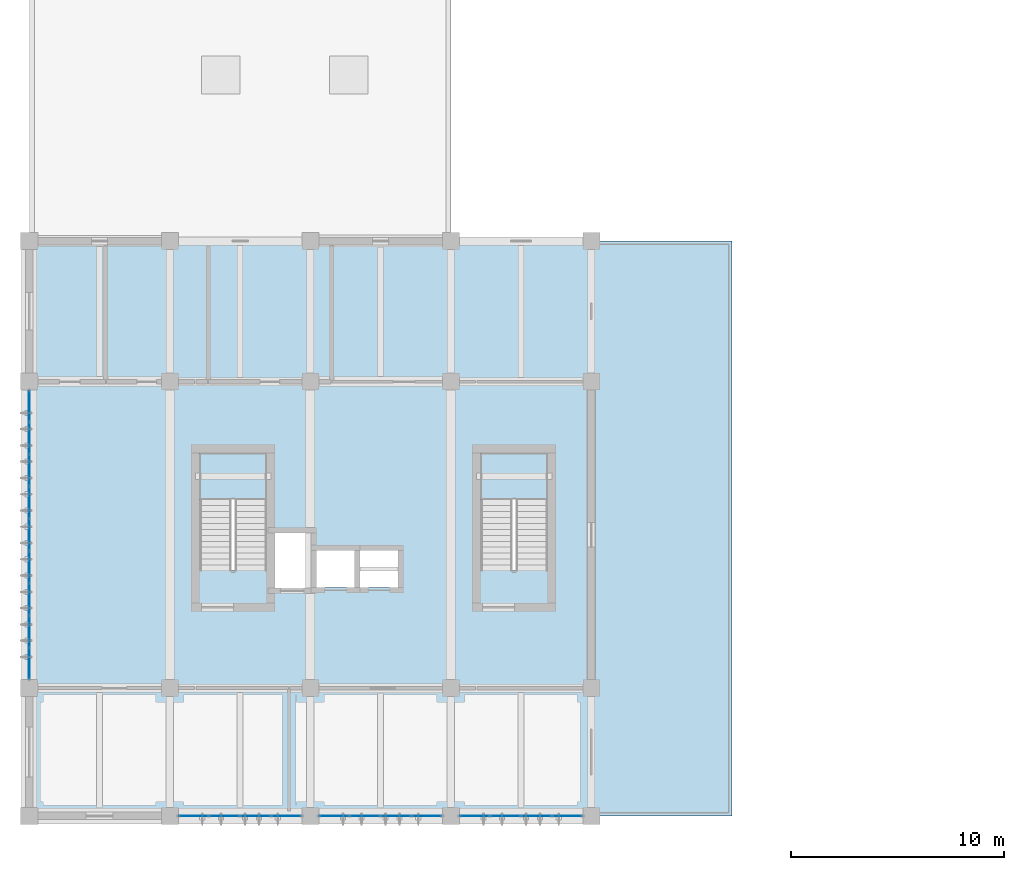
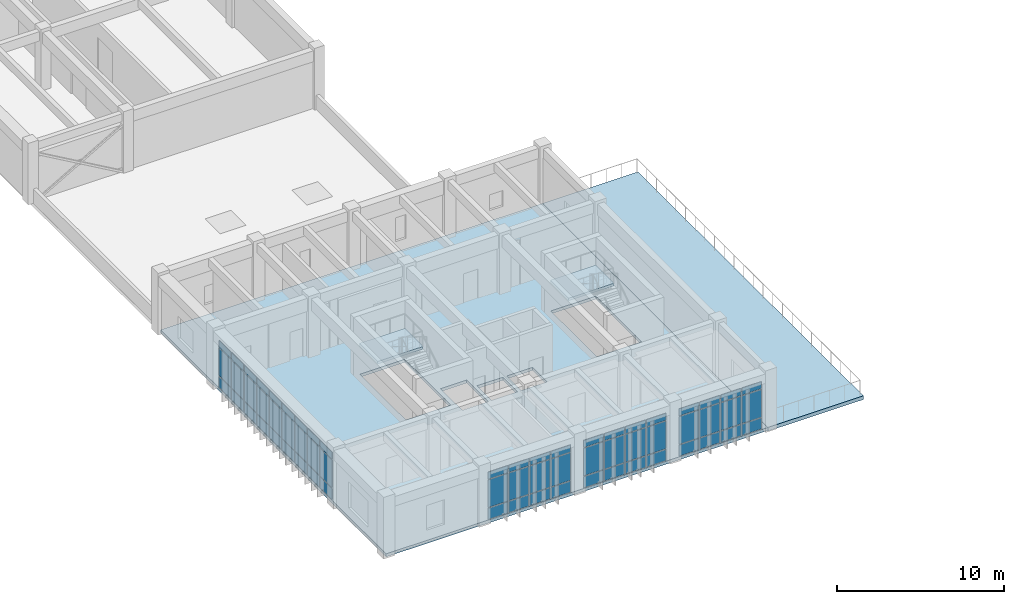
# One storey, part 7 of 18: 63 plates, 4 slabs, 6 elements without a shape of their own.
"""IFC4 building model written with IfcOpenShell, lengths in metres."""

from ifc_helpers import new_model, si_unit, direction, frame, origin, origin_2d, place, context, subcontext, project, spatial, polyline, rectangle, outline, extrude, material, layer, layer_set, type_object, element, aggregate, save


model = new_model("IFC4")

# Units and contexts
model_context = context("Model", 3, precision=1e-05, world=origin(), true_north=direction((0.0, 1.0)))
body_context = subcontext(model_context, "Body", "Model", "MODEL_VIEW")
ifc_project = project(units=[si_unit("LENGTHUNIT", "METRE"), si_unit("AREAUNIT", "SQUARE_METRE"), si_unit("VOLUMEUNIT", "CUBIC_METRE"), si_unit("PLANEANGLEUNIT", "RADIAN"), si_unit("MASSUNIT", "GRAM", prefix="KILO")], contexts=[model_context])

# Site, building, storey
site_placement = place(None, origin())
site = spatial("IfcSite", under=ifc_project, at=site_placement, CompositionType="ELEMENT")
building_placement = place(site_placement, origin())
building = spatial("IfcBuilding", under=site, at=building_placement, Name="Miralva Faculty of Natural Sciences", CompositionType="ELEMENT")
storey_placement = place(building_placement, frame((0.0, 0.0, 28.5)))
storey = spatial("IfcBuildingStorey", under=building, at=storey_placement, Name="L06", CompositionType="ELEMENT", Elevation=28.5)

# Curtain wall, plates
ifc_material_1 = material(Name="Laminated solar-control glass", Category="glass")
ifc_layer_1 = layer(ifc_material_1, 0.179931640625, Name="CW-TWR-L03")
ifc_layer_set_1 = layer_set([ifc_layer_1], Name="Laminated solar-control glass")
curtain_wall_type = type_object("IfcCurtainWallType", Name="CW-TWR-L03", PredefinedType="USERDEFINED", material=ifc_layer_set_1)
curtain_wall_1_placement = place(storey_placement, origin())
curtain_wall_1 = element("IfcCurtainWall", 1, at=curtain_wall_1_placement, inside=storey, type_object=curtain_wall_type, Name="Curtain wall CW-14 L06-239", ObjectType="UNITISED CURTAIN WALL", PredefinedType="USERDEFINED")
ifc_layer_2 = layer(ifc_material_1, 0.028076171875, Name="PNL-P01")
ifc_layer_set_2 = layer_set([ifc_layer_2], Name="Laminated solar-control glass")
plate_type = type_object("IfcPlateType", Name="PNL-P01", PredefinedType="CURTAIN_PANEL", material=ifc_layer_set_2)
plate_1_placement = place(storey_placement, frame((10.72998046875, 3.0, 0.06005859375), z_axis=(0.0, 0.0, 1.0), x_axis=(1.0, 0.0, 0.0)))
plate_1 = element("IfcPlate", 2, at=plate_1_placement, type_object=plate_type, Name="CW-14 panel 1.1", PredefinedType="CURTAIN_PANEL", context=body_context, shape_type="SweptSolid", body=[
    extrude(rectangle(XDim=1.360107421875, YDim=0.028076171875, at=origin_2d()), origin(), (0.0, 0.0, 1.0), 0.81005859375),
])
plate_2_placement = place(storey_placement, frame((10.72998046875, 3.0, 0.93017578125), z_axis=(0.0, 0.0, 1.0), x_axis=(1.0, 0.0, 0.0)))
plate_2 = element("IfcPlate", 3, at=plate_2_placement, type_object=plate_type, Name="CW-14 panel 1.2", PredefinedType="CURTAIN_PANEL", context=body_context, shape_type="SweptSolid", body=[
    extrude(rectangle(XDim=1.360107421875, YDim=0.028076171875, at=origin_2d()), origin(), (0.0, 0.0, 1.0), 2.014892578125),
])
plate_3_placement = place(storey_placement, frame((10.72998046875, 3.0, 3.0048828125), z_axis=(0.0, 0.0, 1.0), x_axis=(1.0, 0.0, 0.0)))
plate_3 = element("IfcPlate", 4, at=plate_3_placement, type_object=plate_type, Name="CW-14 panel 1.3", PredefinedType="CURTAIN_PANEL", context=body_context, shape_type="SweptSolid", body=[
    extrude(rectangle(XDim=1.360107421875, YDim=0.028076171875, at=origin_2d()), origin(), (0.0, 0.0, 1.0), 0.510009765625),
])
plate_4_placement = place(storey_placement, frame((12.171142578125, 3.0, 0.06005859375), z_axis=(0.0, 0.0, 1.0), x_axis=(1.0, 0.0, 0.0)))
plate_4 = element("IfcPlate", 5, at=plate_4_placement, type_object=plate_type, Name="CW-14 panel 2.1", PredefinedType="CURTAIN_PANEL", context=body_context, shape_type="SweptSolid", body=[
    extrude(rectangle(XDim=1.392578125, YDim=0.028076171875, at=origin_2d()), origin(), (0.0, 0.0, 1.0), 0.81005859375),
])
plate_5_placement = place(storey_placement, frame((12.171142578125, 3.0, 0.93017578125), z_axis=(0.0, 0.0, 1.0), x_axis=(1.0, 0.0, 0.0)))
plate_5 = element("IfcPlate", 6, at=plate_5_placement, type_object=plate_type, Name="CW-14 panel 2.2", PredefinedType="CURTAIN_PANEL", context=body_context, shape_type="SweptSolid", body=[
    extrude(rectangle(XDim=1.392578125, YDim=0.028076171875, at=origin_2d()), origin(), (0.0, 0.0, 1.0), 2.014892578125),
])
plate_6_placement = place(storey_placement, frame((12.171142578125, 3.0, 3.0048828125), z_axis=(0.0, 0.0, 1.0), x_axis=(1.0, 0.0, 0.0)))
plate_6 = element("IfcPlate", 7, at=plate_6_placement, type_object=plate_type, Name="CW-14 panel 2.3", PredefinedType="CURTAIN_PANEL", context=body_context, shape_type="SweptSolid", body=[
    extrude(rectangle(XDim=1.392578125, YDim=0.028076171875, at=origin_2d()), origin(), (0.0, 0.0, 1.0), 0.510009765625),
])
plate_7_placement = place(storey_placement, frame((13.628662109375, 3.0, 0.06005859375), z_axis=(0.0, 0.0, 1.0), x_axis=(1.0, 0.0, 0.0)))
plate_7 = element("IfcPlate", 8, at=plate_7_placement, type_object=plate_type, Name="CW-14 panel 3.1", PredefinedType="CURTAIN_PANEL", context=body_context, shape_type="SweptSolid", body=[
    extrude(rectangle(XDim=1.392578125, YDim=0.028076171875, at=origin_2d()), origin(), (0.0, 0.0, 1.0), 0.81005859375),
])
plate_8_placement = place(storey_placement, frame((13.628662109375, 3.0, 0.93017578125), z_axis=(0.0, 0.0, 1.0), x_axis=(1.0, 0.0, 0.0)))
plate_8 = element("IfcPlate", 9, at=plate_8_placement, type_object=plate_type, Name="CW-14 panel 3.2", PredefinedType="CURTAIN_PANEL", context=body_context, shape_type="SweptSolid", body=[
    extrude(rectangle(XDim=1.392578125, YDim=0.028076171875, at=origin_2d()), origin(), (0.0, 0.0, 1.0), 2.014892578125),
])
plate_9_placement = place(storey_placement, frame((13.628662109375, 3.0, 3.0048828125), z_axis=(0.0, 0.0, 1.0), x_axis=(1.0, 0.0, 0.0)))
plate_9 = element("IfcPlate", 10, at=plate_9_placement, type_object=plate_type, Name="CW-14 panel 3.3", PredefinedType="CURTAIN_PANEL", context=body_context, shape_type="SweptSolid", body=[
    extrude(rectangle(XDim=1.392578125, YDim=0.028076171875, at=origin_2d()), origin(), (0.0, 0.0, 1.0), 0.510009765625),
])
plate_10_placement = place(storey_placement, frame((15.070068359375, 3.0, 0.06005859375), z_axis=(0.0, 0.0, 1.0), x_axis=(1.0, 0.0, 0.0)))
plate_10 = element("IfcPlate", 11, at=plate_10_placement, type_object=plate_type, Name="CW-14 panel 4.1", PredefinedType="CURTAIN_PANEL", context=body_context, shape_type="SweptSolid", body=[
    extrude(rectangle(XDim=1.360107421875, YDim=0.028076171875, at=origin_2d()), origin(), (0.0, 0.0, 1.0), 0.81005859375),
])
plate_11_placement = place(storey_placement, frame((15.070068359375, 3.0, 0.93017578125), z_axis=(0.0, 0.0, 1.0), x_axis=(1.0, 0.0, 0.0)))
plate_11 = element("IfcPlate", 12, at=plate_11_placement, type_object=plate_type, Name="CW-14 panel 4.2", PredefinedType="CURTAIN_PANEL", context=body_context, shape_type="SweptSolid", body=[
    extrude(rectangle(XDim=1.360107421875, YDim=0.028076171875, at=origin_2d()), origin(), (0.0, 0.0, 1.0), 2.014892578125),
])
plate_12_placement = place(storey_placement, frame((15.070068359375, 3.0, 3.0048828125), z_axis=(0.0, 0.0, 1.0), x_axis=(1.0, 0.0, 0.0)))
plate_12 = element("IfcPlate", 13, at=plate_12_placement, type_object=plate_type, Name="CW-14 panel 4.3", PredefinedType="CURTAIN_PANEL", context=body_context, shape_type="SweptSolid", body=[
    extrude(rectangle(XDim=1.360107421875, YDim=0.028076171875, at=origin_2d()), origin(), (0.0, 0.0, 1.0), 0.510009765625),
])
aggregate(curtain_wall_1, [plate_1, plate_2, plate_3, plate_4, plate_5, plate_6, plate_7, plate_8, plate_9, plate_10, plate_11, plate_12])

curtain_wall_2_placement = place(storey_placement, origin())
curtain_wall_2 = element("IfcCurtainWall", 14, at=curtain_wall_2_placement, inside=storey, type_object=curtain_wall_type, Name="Curtain wall CW-14 L06-240", ObjectType="UNITISED CURTAIN WALL", PredefinedType="USERDEFINED")
plate_13_placement = place(storey_placement, frame((17.330078125, 3.0, 0.06005859375), z_axis=(0.0, 0.0, 1.0), x_axis=(1.0, 0.0, 0.0)))
plate_13 = element("IfcPlate", 15, at=plate_13_placement, type_object=plate_type, Name="CW-14 panel 1.1", PredefinedType="CURTAIN_PANEL", context=body_context, shape_type="SweptSolid", body=[
    extrude(rectangle(XDim=1.360107421875, YDim=0.028076171875, at=origin_2d()), origin(), (0.0, 0.0, 1.0), 0.81005859375),
])
plate_14_placement = place(storey_placement, frame((17.330078125, 3.0, 0.93017578125), z_axis=(0.0, 0.0, 1.0), x_axis=(1.0, 0.0, 0.0)))
plate_14 = element("IfcPlate", 16, at=plate_14_placement, type_object=plate_type, Name="CW-14 panel 1.2", PredefinedType="CURTAIN_PANEL", context=body_context, shape_type="SweptSolid", body=[
    extrude(rectangle(XDim=1.360107421875, YDim=0.028076171875, at=origin_2d()), origin(), (0.0, 0.0, 1.0), 2.014892578125),
])
plate_15_placement = place(storey_placement, frame((17.330078125, 3.0, 3.0048828125), z_axis=(0.0, 0.0, 1.0), x_axis=(1.0, 0.0, 0.0)))
plate_15 = element("IfcPlate", 17, at=plate_15_placement, type_object=plate_type, Name="CW-14 panel 1.3", PredefinedType="CURTAIN_PANEL", context=body_context, shape_type="SweptSolid", body=[
    extrude(rectangle(XDim=1.360107421875, YDim=0.028076171875, at=origin_2d()), origin(), (0.0, 0.0, 1.0), 0.510009765625),
])
plate_16_placement = place(storey_placement, frame((18.771240234375, 3.0, 0.06005859375), z_axis=(0.0, 0.0, 1.0), x_axis=(1.0, 0.0, 0.0)))
plate_16 = element("IfcPlate", 18, at=plate_16_placement, type_object=plate_type, Name="CW-14 panel 2.1", PredefinedType="CURTAIN_PANEL", context=body_context, shape_type="SweptSolid", body=[
    extrude(rectangle(XDim=1.392578125, YDim=0.028076171875, at=origin_2d()), origin(), (0.0, 0.0, 1.0), 0.81005859375),
])
plate_17_placement = place(storey_placement, frame((18.771240234375, 3.0, 0.93017578125), z_axis=(0.0, 0.0, 1.0), x_axis=(1.0, 0.0, 0.0)))
plate_17 = element("IfcPlate", 19, at=plate_17_placement, type_object=plate_type, Name="CW-14 panel 2.2", PredefinedType="CURTAIN_PANEL", context=body_context, shape_type="SweptSolid", body=[
    extrude(rectangle(XDim=1.392578125, YDim=0.028076171875, at=origin_2d()), origin(), (0.0, 0.0, 1.0), 2.014892578125),
])
plate_18_placement = place(storey_placement, frame((18.771240234375, 3.0, 3.0048828125), z_axis=(0.0, 0.0, 1.0), x_axis=(1.0, 0.0, 0.0)))
plate_18 = element("IfcPlate", 20, at=plate_18_placement, type_object=plate_type, Name="CW-14 panel 2.3", PredefinedType="CURTAIN_PANEL", context=body_context, shape_type="SweptSolid", body=[
    extrude(rectangle(XDim=1.392578125, YDim=0.028076171875, at=origin_2d()), origin(), (0.0, 0.0, 1.0), 0.510009765625),
])
plate_19_placement = place(storey_placement, frame((20.228759765625, 3.0, 0.06005859375), z_axis=(0.0, 0.0, 1.0), x_axis=(1.0, 0.0, 0.0)))
plate_19 = element("IfcPlate", 21, at=plate_19_placement, type_object=plate_type, Name="CW-14 panel 3.1", PredefinedType="CURTAIN_PANEL", context=body_context, shape_type="SweptSolid", body=[
    extrude(rectangle(XDim=1.392578125, YDim=0.028076171875, at=origin_2d()), origin(), (0.0, 0.0, 1.0), 0.81005859375),
])
plate_20_placement = place(storey_placement, frame((20.228759765625, 3.0, 0.93017578125), z_axis=(0.0, 0.0, 1.0), x_axis=(1.0, 0.0, 0.0)))
plate_20 = element("IfcPlate", 22, at=plate_20_placement, type_object=plate_type, Name="CW-14 panel 3.2", PredefinedType="CURTAIN_PANEL", context=body_context, shape_type="SweptSolid", body=[
    extrude(rectangle(XDim=1.392578125, YDim=0.028076171875, at=origin_2d()), origin(), (0.0, 0.0, 1.0), 2.014892578125),
])
plate_21_placement = place(storey_placement, frame((20.228759765625, 3.0, 3.0048828125), z_axis=(0.0, 0.0, 1.0), x_axis=(1.0, 0.0, 0.0)))
plate_21 = element("IfcPlate", 23, at=plate_21_placement, type_object=plate_type, Name="CW-14 panel 3.3", PredefinedType="CURTAIN_PANEL", context=body_context, shape_type="SweptSolid", body=[
    extrude(rectangle(XDim=1.392578125, YDim=0.028076171875, at=origin_2d()), origin(), (0.0, 0.0, 1.0), 0.510009765625),
])
plate_22_placement = place(storey_placement, frame((21.669921875, 3.0, 0.06005859375), z_axis=(0.0, 0.0, 1.0), x_axis=(1.0, 0.0, 0.0)))
plate_22 = element("IfcPlate", 24, at=plate_22_placement, type_object=plate_type, Name="CW-14 panel 4.1", PredefinedType="CURTAIN_PANEL", context=body_context, shape_type="SweptSolid", body=[
    extrude(rectangle(XDim=1.360107421875, YDim=0.028076171875, at=origin_2d()), origin(), (0.0, 0.0, 1.0), 0.81005859375),
])
plate_23_placement = place(storey_placement, frame((21.669921875, 3.0, 0.93017578125), z_axis=(0.0, 0.0, 1.0), x_axis=(1.0, 0.0, 0.0)))
plate_23 = element("IfcPlate", 25, at=plate_23_placement, type_object=plate_type, Name="CW-14 panel 4.2", PredefinedType="CURTAIN_PANEL", context=body_context, shape_type="SweptSolid", body=[
    extrude(rectangle(XDim=1.360107421875, YDim=0.028076171875, at=origin_2d()), origin(), (0.0, 0.0, 1.0), 2.014892578125),
])
plate_24_placement = place(storey_placement, frame((21.669921875, 3.0, 3.0048828125), z_axis=(0.0, 0.0, 1.0), x_axis=(1.0, 0.0, 0.0)))
plate_24 = element("IfcPlate", 26, at=plate_24_placement, type_object=plate_type, Name="CW-14 panel 4.3", PredefinedType="CURTAIN_PANEL", context=body_context, shape_type="SweptSolid", body=[
    extrude(rectangle(XDim=1.360107421875, YDim=0.028076171875, at=origin_2d()), origin(), (0.0, 0.0, 1.0), 0.510009765625),
])
aggregate(curtain_wall_2, [plate_13, plate_14, plate_15, plate_16, plate_17, plate_18, plate_19, plate_20, plate_21, plate_22, plate_23, plate_24])

curtain_wall_3_placement = place(storey_placement, origin())
curtain_wall_3 = element("IfcCurtainWall", 27, at=curtain_wall_3_placement, inside=storey, type_object=curtain_wall_type, Name="Curtain wall CW-14 L06-241", ObjectType="UNITISED CURTAIN WALL", PredefinedType="USERDEFINED")
plate_25_placement = place(storey_placement, frame((23.929931640625, 3.0, 0.06005859375), z_axis=(0.0, 0.0, 1.0), x_axis=(1.0, 0.0, 0.0)))
plate_25 = element("IfcPlate", 28, at=plate_25_placement, type_object=plate_type, Name="CW-14 panel 1.1", PredefinedType="CURTAIN_PANEL", context=body_context, shape_type="SweptSolid", body=[
    extrude(rectangle(XDim=1.360107421875, YDim=0.028076171875, at=origin_2d()), origin(), (0.0, 0.0, 1.0), 0.81005859375),
])
plate_26_placement = place(storey_placement, frame((23.929931640625, 3.0, 0.93017578125), z_axis=(0.0, 0.0, 1.0), x_axis=(1.0, 0.0, 0.0)))
plate_26 = element("IfcPlate", 29, at=plate_26_placement, type_object=plate_type, Name="CW-14 panel 1.2", PredefinedType="CURTAIN_PANEL", context=body_context, shape_type="SweptSolid", body=[
    extrude(rectangle(XDim=1.360107421875, YDim=0.028076171875, at=origin_2d()), origin(), (0.0, 0.0, 1.0), 2.014892578125),
])
plate_27_placement = place(storey_placement, frame((23.929931640625, 3.0, 3.0048828125), z_axis=(0.0, 0.0, 1.0), x_axis=(1.0, 0.0, 0.0)))
plate_27 = element("IfcPlate", 30, at=plate_27_placement, type_object=plate_type, Name="CW-14 panel 1.3", PredefinedType="CURTAIN_PANEL", context=body_context, shape_type="SweptSolid", body=[
    extrude(rectangle(XDim=1.360107421875, YDim=0.028076171875, at=origin_2d()), origin(), (0.0, 0.0, 1.0), 0.510009765625),
])
plate_28_placement = place(storey_placement, frame((25.371337890625, 3.0, 0.06005859375), z_axis=(0.0, 0.0, 1.0), x_axis=(1.0, 0.0, 0.0)))
plate_28 = element("IfcPlate", 31, at=plate_28_placement, type_object=plate_type, Name="CW-14 panel 2.1", PredefinedType="CURTAIN_PANEL", context=body_context, shape_type="SweptSolid", body=[
    extrude(rectangle(XDim=1.392578125, YDim=0.028076171875, at=origin_2d()), origin(), (0.0, 0.0, 1.0), 0.81005859375),
])
plate_29_placement = place(storey_placement, frame((25.371337890625, 3.0, 0.93017578125), z_axis=(0.0, 0.0, 1.0), x_axis=(1.0, 0.0, 0.0)))
plate_29 = element("IfcPlate", 32, at=plate_29_placement, type_object=plate_type, Name="CW-14 panel 2.2", PredefinedType="CURTAIN_PANEL", context=body_context, shape_type="SweptSolid", body=[
    extrude(rectangle(XDim=1.392578125, YDim=0.028076171875, at=origin_2d()), origin(), (0.0, 0.0, 1.0), 2.014892578125),
])
plate_30_placement = place(storey_placement, frame((25.371337890625, 3.0, 3.0048828125), z_axis=(0.0, 0.0, 1.0), x_axis=(1.0, 0.0, 0.0)))
plate_30 = element("IfcPlate", 33, at=plate_30_placement, type_object=plate_type, Name="CW-14 panel 2.3", PredefinedType="CURTAIN_PANEL", context=body_context, shape_type="SweptSolid", body=[
    extrude(rectangle(XDim=1.392578125, YDim=0.028076171875, at=origin_2d()), origin(), (0.0, 0.0, 1.0), 0.510009765625),
])
plate_31_placement = place(storey_placement, frame((26.828857421875, 3.0, 0.06005859375), z_axis=(0.0, 0.0, 1.0), x_axis=(1.0, 0.0, 0.0)))
plate_31 = element("IfcPlate", 34, at=plate_31_placement, type_object=plate_type, Name="CW-14 panel 3.1", PredefinedType="CURTAIN_PANEL", context=body_context, shape_type="SweptSolid", body=[
    extrude(rectangle(XDim=1.392578125, YDim=0.028076171875, at=origin_2d()), origin(), (0.0, 0.0, 1.0), 0.81005859375),
])
plate_32_placement = place(storey_placement, frame((26.828857421875, 3.0, 0.93017578125), z_axis=(0.0, 0.0, 1.0), x_axis=(1.0, 0.0, 0.0)))
plate_32 = element("IfcPlate", 35, at=plate_32_placement, type_object=plate_type, Name="CW-14 panel 3.2", PredefinedType="CURTAIN_PANEL", context=body_context, shape_type="SweptSolid", body=[
    extrude(rectangle(XDim=1.392578125, YDim=0.028076171875, at=origin_2d()), origin(), (0.0, 0.0, 1.0), 2.014892578125),
])
plate_33_placement = place(storey_placement, frame((26.828857421875, 3.0, 3.0048828125), z_axis=(0.0, 0.0, 1.0), x_axis=(1.0, 0.0, 0.0)))
plate_33 = element("IfcPlate", 36, at=plate_33_placement, type_object=plate_type, Name="CW-14 panel 3.3", PredefinedType="CURTAIN_PANEL", context=body_context, shape_type="SweptSolid", body=[
    extrude(rectangle(XDim=1.392578125, YDim=0.028076171875, at=origin_2d()), origin(), (0.0, 0.0, 1.0), 0.510009765625),
])
plate_34_placement = place(storey_placement, frame((28.27001953125, 3.0, 0.06005859375), z_axis=(0.0, 0.0, 1.0), x_axis=(1.0, 0.0, 0.0)))
plate_34 = element("IfcPlate", 37, at=plate_34_placement, type_object=plate_type, Name="CW-14 panel 4.1", PredefinedType="CURTAIN_PANEL", context=body_context, shape_type="SweptSolid", body=[
    extrude(rectangle(XDim=1.360107421875, YDim=0.028076171875, at=origin_2d()), origin(), (0.0, 0.0, 1.0), 0.81005859375),
])
plate_35_placement = place(storey_placement, frame((28.27001953125, 3.0, 0.93017578125), z_axis=(0.0, 0.0, 1.0), x_axis=(1.0, 0.0, 0.0)))
plate_35 = element("IfcPlate", 38, at=plate_35_placement, type_object=plate_type, Name="CW-14 panel 4.2", PredefinedType="CURTAIN_PANEL", context=body_context, shape_type="SweptSolid", body=[
    extrude(rectangle(XDim=1.360107421875, YDim=0.028076171875, at=origin_2d()), origin(), (0.0, 0.0, 1.0), 2.014892578125),
])
plate_36_placement = place(storey_placement, frame((28.27001953125, 3.0, 3.0048828125), z_axis=(0.0, 0.0, 1.0), x_axis=(1.0, 0.0, 0.0)))
plate_36 = element("IfcPlate", 39, at=plate_36_placement, type_object=plate_type, Name="CW-14 panel 4.3", PredefinedType="CURTAIN_PANEL", context=body_context, shape_type="SweptSolid", body=[
    extrude(rectangle(XDim=1.360107421875, YDim=0.028076171875, at=origin_2d()), origin(), (0.0, 0.0, 1.0), 0.510009765625),
])
aggregate(curtain_wall_3, [plate_25, plate_26, plate_27, plate_28, plate_29, plate_30, plate_31, plate_32, plate_33, plate_34, plate_35, plate_36])

curtain_wall_4_placement = place(storey_placement, origin())
curtain_wall_4 = element("IfcCurtainWall", 40, at=curtain_wall_4_placement, inside=storey, type_object=curtain_wall_type, Name="Curtain wall CW-14 L06-242", ObjectType="UNITISED CURTAIN WALL", PredefinedType="USERDEFINED")
plate_37_placement = place(storey_placement, frame((3.0, 10.158447265625, 0.06005859375), z_axis=(0.0, 0.0, 1.0), x_axis=(0.0, 1.0, 0.0)))
plate_37 = element("IfcPlate", 41, at=plate_37_placement, type_object=plate_type, Name="CW-14 panel 1.1", PredefinedType="CURTAIN_PANEL", context=body_context, shape_type="SweptSolid", body=[
    extrude(rectangle(XDim=1.4169921875, YDim=0.028076171875, at=origin_2d()), origin(), (0.0, 0.0, 1.0), 0.81005859375),
])
plate_38_placement = place(storey_placement, frame((3.0, 10.158447265625, 0.93017578125), z_axis=(0.0, 0.0, 1.0), x_axis=(0.0, 1.0, 0.0)))
plate_38 = element("IfcPlate", 42, at=plate_38_placement, type_object=plate_type, Name="CW-14 panel 1.2", PredefinedType="CURTAIN_PANEL", context=body_context, shape_type="SweptSolid", body=[
    extrude(rectangle(XDim=1.4169921875, YDim=0.028076171875, at=origin_2d()), origin(), (0.0, 0.0, 1.0), 2.014892578125),
])
plate_39_placement = place(storey_placement, frame((3.0, 10.158447265625, 3.0048828125), z_axis=(0.0, 0.0, 1.0), x_axis=(0.0, 1.0, 0.0)))
plate_39 = element("IfcPlate", 43, at=plate_39_placement, type_object=plate_type, Name="CW-14 panel 1.3", PredefinedType="CURTAIN_PANEL", context=body_context, shape_type="SweptSolid", body=[
    extrude(rectangle(XDim=1.4169921875, YDim=0.028076171875, at=origin_2d()), origin(), (0.0, 0.0, 1.0), 0.510009765625),
])
plate_40_placement = place(storey_placement, frame((3.0, 11.65673828125, 0.06005859375), z_axis=(0.0, 0.0, 1.0), x_axis=(0.0, 1.0, 0.0)))
plate_40 = element("IfcPlate", 44, at=plate_40_placement, type_object=plate_type, Name="CW-14 panel 2.1", PredefinedType="CURTAIN_PANEL", context=body_context, shape_type="SweptSolid", body=[
    extrude(rectangle(XDim=1.449462890625, YDim=0.028076171875, at=origin_2d()), origin(), (0.0, 0.0, 1.0), 0.81005859375),
])
plate_41_placement = place(storey_placement, frame((3.0, 11.65673828125, 0.93017578125), z_axis=(0.0, 0.0, 1.0), x_axis=(0.0, 1.0, 0.0)))
plate_41 = element("IfcPlate", 45, at=plate_41_placement, type_object=plate_type, Name="CW-14 panel 2.2", PredefinedType="CURTAIN_PANEL", context=body_context, shape_type="SweptSolid", body=[
    extrude(rectangle(XDim=1.449462890625, YDim=0.028076171875, at=origin_2d()), origin(), (0.0, 0.0, 1.0), 2.014892578125),
])
plate_42_placement = place(storey_placement, frame((3.0, 11.65673828125, 3.0048828125), z_axis=(0.0, 0.0, 1.0), x_axis=(0.0, 1.0, 0.0)))
plate_42 = element("IfcPlate", 46, at=plate_42_placement, type_object=plate_type, Name="CW-14 panel 2.3", PredefinedType="CURTAIN_PANEL", context=body_context, shape_type="SweptSolid", body=[
    extrude(rectangle(XDim=1.449462890625, YDim=0.028076171875, at=origin_2d()), origin(), (0.0, 0.0, 1.0), 0.510009765625),
])
plate_43_placement = place(storey_placement, frame((3.0, 13.171142578125, 0.06005859375), z_axis=(0.0, 0.0, 1.0), x_axis=(0.0, 1.0, 0.0)))
plate_43 = element("IfcPlate", 47, at=plate_43_placement, type_object=plate_type, Name="CW-14 panel 3.1", PredefinedType="CURTAIN_PANEL", context=body_context, shape_type="SweptSolid", body=[
    extrude(rectangle(XDim=1.449462890625, YDim=0.028076171875, at=origin_2d()), origin(), (0.0, 0.0, 1.0), 0.81005859375),
])
plate_44_placement = place(storey_placement, frame((3.0, 13.171142578125, 0.93017578125), z_axis=(0.0, 0.0, 1.0), x_axis=(0.0, 1.0, 0.0)))
plate_44 = element("IfcPlate", 48, at=plate_44_placement, type_object=plate_type, Name="CW-14 panel 3.2", PredefinedType="CURTAIN_PANEL", context=body_context, shape_type="SweptSolid", body=[
    extrude(rectangle(XDim=1.449462890625, YDim=0.028076171875, at=origin_2d()), origin(), (0.0, 0.0, 1.0), 2.014892578125),
])
plate_45_placement = place(storey_placement, frame((3.0, 13.171142578125, 3.0048828125), z_axis=(0.0, 0.0, 1.0), x_axis=(0.0, 1.0, 0.0)))
plate_45 = element("IfcPlate", 49, at=plate_45_placement, type_object=plate_type, Name="CW-14 panel 3.3", PredefinedType="CURTAIN_PANEL", context=body_context, shape_type="SweptSolid", body=[
    extrude(rectangle(XDim=1.449462890625, YDim=0.028076171875, at=origin_2d()), origin(), (0.0, 0.0, 1.0), 0.510009765625),
])
plate_46_placement = place(storey_placement, frame((3.0, 14.685546875, 0.06005859375), z_axis=(0.0, 0.0, 1.0), x_axis=(0.0, 1.0, 0.0)))
plate_46 = element("IfcPlate", 50, at=plate_46_placement, type_object=plate_type, Name="CW-14 panel 4.1", PredefinedType="CURTAIN_PANEL", context=body_context, shape_type="SweptSolid", body=[
    extrude(rectangle(XDim=1.449462890625, YDim=0.028076171875, at=origin_2d()), origin(), (0.0, 0.0, 1.0), 0.81005859375),
])
plate_47_placement = place(storey_placement, frame((3.0, 14.685546875, 0.93017578125), z_axis=(0.0, 0.0, 1.0), x_axis=(0.0, 1.0, 0.0)))
plate_47 = element("IfcPlate", 51, at=plate_47_placement, type_object=plate_type, Name="CW-14 panel 4.2", PredefinedType="CURTAIN_PANEL", context=body_context, shape_type="SweptSolid", body=[
    extrude(rectangle(XDim=1.449462890625, YDim=0.028076171875, at=origin_2d()), origin(), (0.0, 0.0, 1.0), 2.014892578125),
])
plate_48_placement = place(storey_placement, frame((3.0, 14.685546875, 3.0048828125), z_axis=(0.0, 0.0, 1.0), x_axis=(0.0, 1.0, 0.0)))
plate_48 = element("IfcPlate", 52, at=plate_48_placement, type_object=plate_type, Name="CW-14 panel 4.3", PredefinedType="CURTAIN_PANEL", context=body_context, shape_type="SweptSolid", body=[
    extrude(rectangle(XDim=1.449462890625, YDim=0.028076171875, at=origin_2d()), origin(), (0.0, 0.0, 1.0), 0.510009765625),
])
plate_49_placement = place(storey_placement, frame((3.0, 16.199951171875, 0.06005859375), z_axis=(0.0, 0.0, 1.0), x_axis=(0.0, 1.0, 0.0)))
plate_49 = element("IfcPlate", 53, at=plate_49_placement, type_object=plate_type, Name="CW-14 panel 5.1", PredefinedType="CURTAIN_PANEL", context=body_context, shape_type="SweptSolid", body=[
    extrude(rectangle(XDim=1.449462890625, YDim=0.028076171875, at=origin_2d()), origin(), (0.0, 0.0, 1.0), 0.81005859375),
])
plate_50_placement = place(storey_placement, frame((3.0, 16.199951171875, 0.93017578125), z_axis=(0.0, 0.0, 1.0), x_axis=(0.0, 1.0, 0.0)))
plate_50 = element("IfcPlate", 54, at=plate_50_placement, type_object=plate_type, Name="CW-14 panel 5.2", PredefinedType="CURTAIN_PANEL", context=body_context, shape_type="SweptSolid", body=[
    extrude(rectangle(XDim=1.449462890625, YDim=0.028076171875, at=origin_2d()), origin(), (0.0, 0.0, 1.0), 2.014892578125),
])
plate_51_placement = place(storey_placement, frame((3.0, 16.199951171875, 3.0048828125), z_axis=(0.0, 0.0, 1.0), x_axis=(0.0, 1.0, 0.0)))
plate_51 = element("IfcPlate", 55, at=plate_51_placement, type_object=plate_type, Name="CW-14 panel 5.3", PredefinedType="CURTAIN_PANEL", context=body_context, shape_type="SweptSolid", body=[
    extrude(rectangle(XDim=1.449462890625, YDim=0.028076171875, at=origin_2d()), origin(), (0.0, 0.0, 1.0), 0.510009765625),
])
plate_52_placement = place(storey_placement, frame((3.0, 17.71435546875, 0.06005859375), z_axis=(0.0, 0.0, 1.0), x_axis=(0.0, 1.0, 0.0)))
plate_52 = element("IfcPlate", 56, at=plate_52_placement, type_object=plate_type, Name="CW-14 panel 6.1", PredefinedType="CURTAIN_PANEL", context=body_context, shape_type="SweptSolid", body=[
    extrude(rectangle(XDim=1.449462890625, YDim=0.028076171875, at=origin_2d()), origin(), (0.0, 0.0, 1.0), 0.81005859375),
])
plate_53_placement = place(storey_placement, frame((3.0, 17.71435546875, 0.93017578125), z_axis=(0.0, 0.0, 1.0), x_axis=(0.0, 1.0, 0.0)))
plate_53 = element("IfcPlate", 57, at=plate_53_placement, type_object=plate_type, Name="CW-14 panel 6.2", PredefinedType="CURTAIN_PANEL", context=body_context, shape_type="SweptSolid", body=[
    extrude(rectangle(XDim=1.449462890625, YDim=0.028076171875, at=origin_2d()), origin(), (0.0, 0.0, 1.0), 2.014892578125),
])
plate_54_placement = place(storey_placement, frame((3.0, 17.71435546875, 3.0048828125), z_axis=(0.0, 0.0, 1.0), x_axis=(0.0, 1.0, 0.0)))
plate_54 = element("IfcPlate", 58, at=plate_54_placement, type_object=plate_type, Name="CW-14 panel 6.3", PredefinedType="CURTAIN_PANEL", context=body_context, shape_type="SweptSolid", body=[
    extrude(rectangle(XDim=1.449462890625, YDim=0.028076171875, at=origin_2d()), origin(), (0.0, 0.0, 1.0), 0.510009765625),
])
plate_55_placement = place(storey_placement, frame((3.0, 19.22900390625, 0.06005859375), z_axis=(0.0, 0.0, 1.0), x_axis=(0.0, 1.0, 0.0)))
plate_55 = element("IfcPlate", 59, at=plate_55_placement, type_object=plate_type, Name="CW-14 panel 7.1", PredefinedType="CURTAIN_PANEL", context=body_context, shape_type="SweptSolid", body=[
    extrude(rectangle(XDim=1.449462890625, YDim=0.028076171875, at=origin_2d()), origin(), (0.0, 0.0, 1.0), 0.81005859375),
])
plate_56_placement = place(storey_placement, frame((3.0, 19.22900390625, 0.93017578125), z_axis=(0.0, 0.0, 1.0), x_axis=(0.0, 1.0, 0.0)))
plate_56 = element("IfcPlate", 60, at=plate_56_placement, type_object=plate_type, Name="CW-14 panel 7.2", PredefinedType="CURTAIN_PANEL", context=body_context, shape_type="SweptSolid", body=[
    extrude(rectangle(XDim=1.449462890625, YDim=0.028076171875, at=origin_2d()), origin(), (0.0, 0.0, 1.0), 2.014892578125),
])
plate_57_placement = place(storey_placement, frame((3.0, 19.22900390625, 3.0048828125), z_axis=(0.0, 0.0, 1.0), x_axis=(0.0, 1.0, 0.0)))
plate_57 = element("IfcPlate", 61, at=plate_57_placement, type_object=plate_type, Name="CW-14 panel 7.3", PredefinedType="CURTAIN_PANEL", context=body_context, shape_type="SweptSolid", body=[
    extrude(rectangle(XDim=1.449462890625, YDim=0.028076171875, at=origin_2d()), origin(), (0.0, 0.0, 1.0), 0.510009765625),
])
plate_58_placement = place(storey_placement, frame((3.0, 20.743408203125, 0.06005859375), z_axis=(0.0, 0.0, 1.0), x_axis=(0.0, 1.0, 0.0)))
plate_58 = element("IfcPlate", 62, at=plate_58_placement, type_object=plate_type, Name="CW-14 panel 8.1", PredefinedType="CURTAIN_PANEL", context=body_context, shape_type="SweptSolid", body=[
    extrude(rectangle(XDim=1.449462890625, YDim=0.028076171875, at=origin_2d()), origin(), (0.0, 0.0, 1.0), 0.81005859375),
])
plate_59_placement = place(storey_placement, frame((3.0, 20.743408203125, 0.93017578125), z_axis=(0.0, 0.0, 1.0), x_axis=(0.0, 1.0, 0.0)))
plate_59 = element("IfcPlate", 63, at=plate_59_placement, type_object=plate_type, Name="CW-14 panel 8.2", PredefinedType="CURTAIN_PANEL", context=body_context, shape_type="SweptSolid", body=[
    extrude(rectangle(XDim=1.449462890625, YDim=0.028076171875, at=origin_2d()), origin(), (0.0, 0.0, 1.0), 2.014892578125),
])
plate_60_placement = place(storey_placement, frame((3.0, 20.743408203125, 3.0048828125), z_axis=(0.0, 0.0, 1.0), x_axis=(0.0, 1.0, 0.0)))
plate_60 = element("IfcPlate", 64, at=plate_60_placement, type_object=plate_type, Name="CW-14 panel 8.3", PredefinedType="CURTAIN_PANEL", context=body_context, shape_type="SweptSolid", body=[
    extrude(rectangle(XDim=1.449462890625, YDim=0.028076171875, at=origin_2d()), origin(), (0.0, 0.0, 1.0), 0.510009765625),
])
plate_61_placement = place(storey_placement, frame((3.0, 22.241455078125, 0.06005859375), z_axis=(0.0, 0.0, 1.0), x_axis=(0.0, 1.0, 0.0)))
plate_61 = element("IfcPlate", 65, at=plate_61_placement, type_object=plate_type, Name="CW-14 panel 9.1", PredefinedType="CURTAIN_PANEL", context=body_context, shape_type="SweptSolid", body=[
    extrude(rectangle(XDim=1.4169921875, YDim=0.028076171875, at=origin_2d()), origin(), (0.0, 0.0, 1.0), 0.81005859375),
])
plate_62_placement = place(storey_placement, frame((3.0, 22.241455078125, 0.93017578125), z_axis=(0.0, 0.0, 1.0), x_axis=(0.0, 1.0, 0.0)))
plate_62 = element("IfcPlate", 66, at=plate_62_placement, type_object=plate_type, Name="CW-14 panel 9.2", PredefinedType="CURTAIN_PANEL", context=body_context, shape_type="SweptSolid", body=[
    extrude(rectangle(XDim=1.4169921875, YDim=0.028076171875, at=origin_2d()), origin(), (0.0, 0.0, 1.0), 2.014892578125),
])
plate_63_placement = place(storey_placement, frame((3.0, 22.241455078125, 3.0048828125), z_axis=(0.0, 0.0, 1.0), x_axis=(0.0, 1.0, 0.0)))
plate_63 = element("IfcPlate", 67, at=plate_63_placement, type_object=plate_type, Name="CW-14 panel 9.3", PredefinedType="CURTAIN_PANEL", context=body_context, shape_type="SweptSolid", body=[
    extrude(rectangle(XDim=1.4169921875, YDim=0.028076171875, at=origin_2d()), origin(), (0.0, 0.0, 1.0), 0.510009765625),
])
aggregate(curtain_wall_4, [plate_37, plate_38, plate_39, plate_40, plate_41, plate_42, plate_43, plate_44, plate_45, plate_46, plate_47, plate_48, plate_49, plate_50, plate_51, plate_52, plate_53, plate_54, plate_55, plate_56, plate_57, plate_58, plate_59, plate_60, plate_61, plate_62, plate_63])

# Slab
ifc_material_2 = material(Name="Concrete C40/50", Category="concrete")
ifc_layer_3 = layer(ifc_material_2, 0.219970703125, Name="SL-FL04")
ifc_layer_set_3 = layer_set([ifc_layer_3], Name="Concrete C40/50")
slab_type_1 = type_object("IfcSlabType", Name="SL-FL04", PredefinedType="FLOOR", material=ifc_layer_set_3)
slab_1_placement = place(storey_placement, frame((0.0, 0.0, -0.219970703125)))
element("IfcSlab", 68, at=slab_1_placement, inside=storey, type_object=slab_type_1, Name="V5 L06 floor slab", PredefinedType="FLOOR", context=body_context, shape_type="SweptSolid", body=[
    extrude(outline(polyline([(29.39990234375, 3.0), (3.0, 3.0), (3.0, 30.0), (29.39990234375, 30.0), (29.39990234375, 3.0)]), holes=[polyline([(14.125, 14.52490234375), (11.02490234375, 14.52490234375), (11.02490234375, 20.02490234375), (14.125, 20.02490234375), (14.125, 14.52490234375)]), polyline([(16.25, 13.699951171875), (14.449951171875, 13.699951171875), (14.449951171875, 16.300048828125), (16.25, 16.300048828125), (16.25, 13.699951171875)]), polyline([(18.2900390625, 13.72509765625), (16.489990234375, 13.72509765625), (16.489990234375, 15.47509765625), (18.2900390625, 15.47509765625), (18.2900390625, 13.72509765625)]), polyline([(27.324951171875, 14.52490234375), (24.22509765625, 14.52490234375), (24.22509765625, 20.02490234375), (27.324951171875, 20.02490234375), (27.324951171875, 14.52490234375)]), polyline([(20.330078125, 13.72509765625), (18.530029296875, 13.72509765625), (18.530029296875, 15.47509765625), (20.330078125, 15.47509765625), (20.330078125, 13.72509765625)])]), origin(), (0.0, 0.0, 1.0), 0.219970703125),
])

# Stair, slab
stair_type = type_object("IfcStairType", Name="ST-CORE-450", PredefinedType="HALF_TURN_STAIR", material=ifc_material_2)
stair_1_placement = place(storey_placement, origin())
stair_1 = element("IfcStair", 69, at=stair_1_placement, inside=storey, type_object=stair_type, Name="Exit Stair Core C1 (ST-03) L06", PredefinedType="HALF_TURN_STAIR")
ifc_layer_4 = layer(ifc_material_2, 0.18994140625, Name="SL-LD01")
ifc_layer_set_4 = layer_set([ifc_layer_4], Name="Concrete C40/50")
slab_type_2 = type_object("IfcSlabType", Name="SL-LD01", PredefinedType="LANDING", material=ifc_layer_set_4)
slab_2_placement = place(storey_placement, frame((0.0, 0.0, 2.06005859375)))
slab_2 = element("IfcSlab", 70, at=slab_2_placement, type_object=slab_type_2, Name="ST-03 landing 1", PredefinedType="LANDING", context=body_context, shape_type="SweptSolid", body=[
    extrude(outline(polyline([(14.14990234375, 17.860107421875), (14.14990234375, 20.050048828125), (11.0, 20.050048828125), (11.0, 17.860107421875), (14.14990234375, 17.860107421875)])), origin(), (0.0, 0.0, 1.0), 0.18994140625),
])
aggregate(stair_1, [slab_2])

stair_2_placement = place(storey_placement, origin())
stair_2 = element("IfcStair", 71, at=stair_2_placement, inside=storey, type_object=stair_type, Name="Exit Stair Core C1B (ST-03) L06", PredefinedType="HALF_TURN_STAIR")
slab_3_placement = place(storey_placement, frame((0.0, 0.0, 2.06005859375)))
slab_3 = element("IfcSlab", 72, at=slab_3_placement, type_object=slab_type_2, Name="ST-03 landing 1", PredefinedType="LANDING", context=body_context, shape_type="SweptSolid", body=[
    extrude(outline(polyline([(27.35009765625, 17.860107421875), (27.35009765625, 20.050048828125), (24.199951171875, 20.050048828125), (24.199951171875, 17.860107421875), (27.35009765625, 17.860107421875)])), origin(), (0.0, 0.0, 1.0), 0.18994140625),
])
aggregate(stair_2, [slab_3])

# Slab
ifc_layer_5 = layer(ifc_material_2, 0.27001953125, Name="SL-TR02")
ifc_layer_set_5 = layer_set([ifc_layer_5], Name="Concrete C40/50")
slab_type_3 = type_object("IfcSlabType", Name="SL-TR02", PredefinedType="ROOF", material=ifc_layer_set_5)
slab_4_placement = place(storey_placement, frame((0.0, 0.0, -0.27001953125)))
element("IfcSlab", 73, at=slab_4_placement, inside=storey, type_object=slab_type_3, Name="Tower Lower Roof Terrace Slab", PredefinedType="ROOF", context=body_context, shape_type="SweptSolid", body=[
    extrude(outline(polyline([(36.0, 3.0), (29.39990234375, 3.0), (29.39990234375, 30.0), (36.0, 30.0), (36.0, 3.0)])), origin(), (0.0, 0.0, 1.0), 0.27001953125),
])

save(model, "model.ifc")
